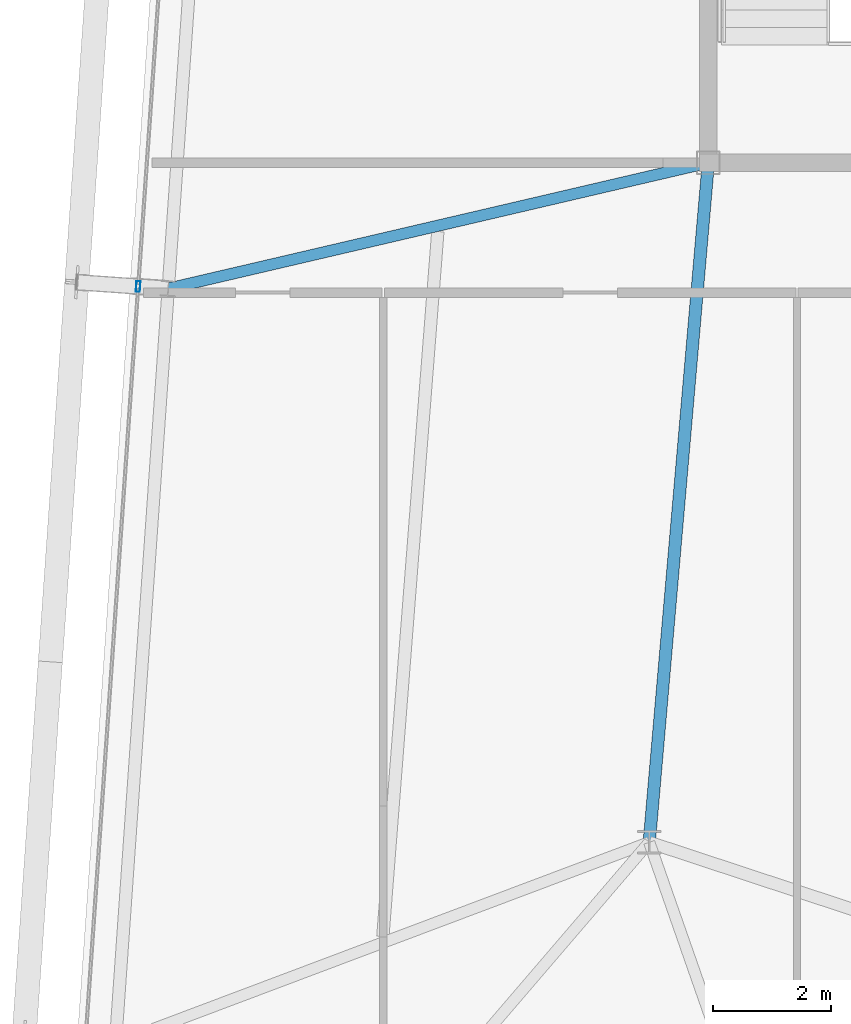
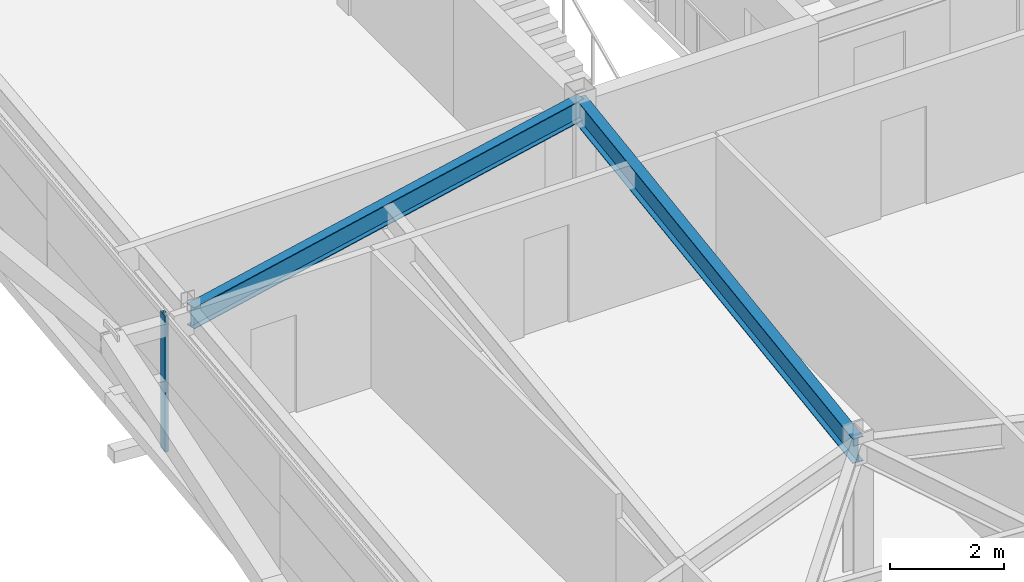
# One storey, part 11 of 39: 2 beams, 1 member, 1 element without a shape of its own.
"""IFC4 building model written with IfcOpenShell, lengths in metres."""

from ifc_helpers import new_model, si_unit, direction, frame, origin, origin_2d, place, context, subcontext, project, spatial, hollow_rectangle, i_section, extrude, source, transform, mapped, material, layer, layer_set, material_profile, profile_set, type_object, element, aggregate, save


model = new_model("IFC4")

# Units and contexts
model_context = context("Model", 3, precision=1e-05, world=origin(), true_north=direction((0.0, 1.0)))
body_context = subcontext(model_context, "Body", "Model", "MODEL_VIEW")
ifc_project = project(units=[si_unit("LENGTHUNIT", "METRE"), si_unit("AREAUNIT", "SQUARE_METRE"), si_unit("VOLUMEUNIT", "CUBIC_METRE"), si_unit("PLANEANGLEUNIT", "RADIAN"), si_unit("MASSUNIT", "GRAM", prefix="KILO")], contexts=[model_context])

# Site, building, storey
site_placement = place(None, origin())
site = spatial("IfcSite", under=ifc_project, at=site_placement, CompositionType="ELEMENT")
building_placement = place(site_placement, origin())
building = spatial("IfcBuilding", under=site, at=building_placement, Name="Taldren Reach Tower", CompositionType="ELEMENT")
storey_placement = place(building_placement, frame((0.0, 0.0, 151.89990234375)))
storey = spatial("IfcBuildingStorey", under=building, at=storey_placement, Name="L46", CompositionType="ELEMENT", Elevation=151.89990234375)

# Beams
ifc_material_1 = material(Name="Steel Gr 350 (350PLUS)", Category="steel")
ifc_material_profile_1 = material_profile(ifc_material_1, i_section(OverallWidth=0.208984375, OverallDepth=0.532958984375, WebThickness=0.01025390625, FlangeThickness=0.015625, at=origin_2d()), Name="530UB92.4")
ifc_profile_set_1 = profile_set([ifc_material_profile_1], Name="Steel Gr 350 (350PLUS)")
beam_type_1 = type_object("IfcBeamType", Name="BM-UB530A", PredefinedType="BEAM", material=ifc_profile_set_1)
shared_shape_1 = source(origin(), body_context, "Body", "SweptSolid", [
    extrude(i_section(OverallWidth=0.208984375, OverallDepth=0.532958984375, WebThickness=0.01025390625, FlangeThickness=0.015625, at=origin_2d()), origin(), (0.0, 0.0, 1.0), 11.54345703125),
])
beam_1_placement = place(storey_placement, frame((19.0, 24.0, 2.66357421875), z_axis=(-0.086629616365, -0.996240588196, 0.0), x_axis=(0.996240588196, -0.086629616365, 0.0)))
element("IfcBeam", 1, at=beam_1_placement, inside=storey, type_object=beam_type_1, Name="Core-spine girder L46-SP09", PredefinedType="BEAM", context=body_context, shape_type="MappedRepresentation", body=[
    mapped(shared_shape_1, transform((0.0, 0.0, 0.0), scale=1.0)),
])
ifc_material_profile_2 = material_profile(ifc_material_1, i_section(OverallWidth=0.19091796875, OverallDepth=0.4599609375, WebThickness=0.010009765625, FlangeThickness=0.01611328125, at=origin_2d()), Name="460UB82.1")
ifc_profile_set_2 = profile_set([ifc_material_profile_2], Name="Steel Gr 350 (350PLUS)")
beam_type_2 = type_object("IfcBeamType", Name="BM-UB460A", PredefinedType="BEAM", material=ifc_profile_set_2)
shared_shape_2 = source(origin(), body_context, "Body", "SweptSolid", [
    extrude(i_section(OverallWidth=0.19091796875, OverallDepth=0.4599609375, WebThickness=0.010009765625, FlangeThickness=0.01611328125, at=origin_2d()), origin(), (0.0, 0.0, 1.0), 9.383544921875),
])
beam_2_placement = place(storey_placement, frame((19.0, 24.0, 2.7001953125), z_axis=(-0.973856560651, -0.227163815951, 0.0), x_axis=(0.227163815951, -0.973856560651, 0.0)))
element("IfcBeam", 2, at=beam_2_placement, inside=storey, type_object=beam_type_2, Name="Primary floor girder B3-W2 L46", PredefinedType="BEAM", context=body_context, shape_type="MappedRepresentation", body=[
    mapped(shared_shape_2, transform((0.0, 0.0, 0.0), scale=1.0)),
])

# Curtain wall, member
ifc_material_2 = material(Name="Aluminium and Low-E Glass Unitised System", Category="aluminium")
ifc_layer = layer(ifc_material_2, 0.159912109375)
ifc_layer_set = layer_set([ifc_layer], Name="Aluminium and Low-E Glass Unitised System")
curtain_wall_type = type_object("IfcCurtainWallType", Name="CW-SYS-4", PredefinedType="NOTDEFINED", material=ifc_layer_set)
curtain_wall_placement = place(storey_placement, origin())
curtain_wall = element("IfcCurtainWall", 3, at=curtain_wall_placement, inside=storey, type_object=curtain_wall_type, Name="Unitised curtain wall CW-L46-W", PredefinedType="NOTDEFINED")
ifc_material_3 = material(Name="Anodised Aluminium 6063-T6", Category="aluminium")
ifc_material_profile_3 = material_profile(ifc_material_3, hollow_rectangle(XDim=0.070068359375, YDim=0.179931640625, WallThickness=0.00390625, at=origin_2d()), Name="ALU-180x70x4RHS")
ifc_profile_set_3 = profile_set([ifc_material_profile_3], Name="Anodised Aluminium 6063-T6")
member_type = type_object("IfcMemberType", Name="CW-MUL-180", PredefinedType="MULLION", material=ifc_profile_set_3)
shared_shape_3 = source(origin(), body_context, "Body", "SweptSolid", [
    extrude(hollow_rectangle(XDim=0.070068359375, YDim=0.179931640625, WallThickness=0.00390625, at=origin_2d()), origin(), (0.0, 0.0, 1.0), 2.93017578125),
])
member_placement = place(storey_placement, frame((9.35302734375, 21.90380859375, 0.0), z_axis=(0.0, 0.0, 1.0), x_axis=(0.997564052812, -0.069756437251, 0.0)))
member = element("IfcMember", 4, at=member_placement, type_object=member_type, Name="CW-4 mullion 2", PredefinedType="MULLION", context=body_context, shape_type="MappedRepresentation", body=[
    mapped(shared_shape_3, transform((0.0, 0.0, 0.0), scale=1.0)),
])
aggregate(curtain_wall, [member])

save(model, "model.ifc")
